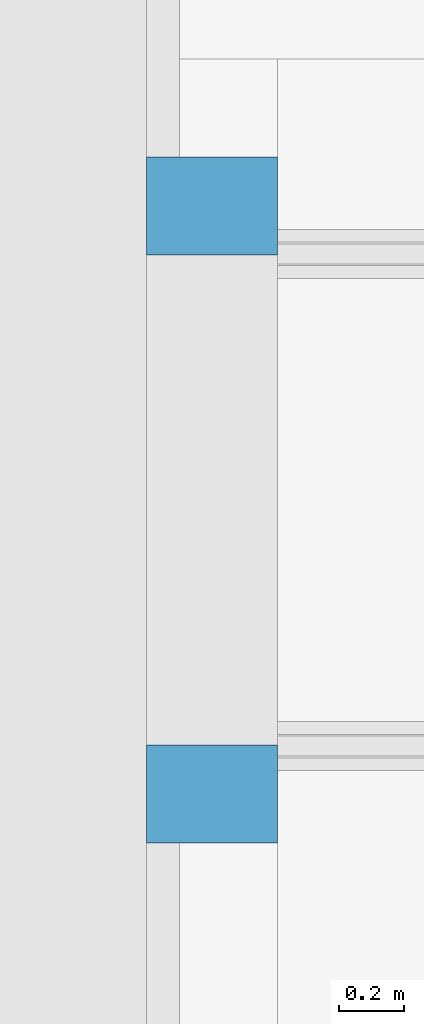
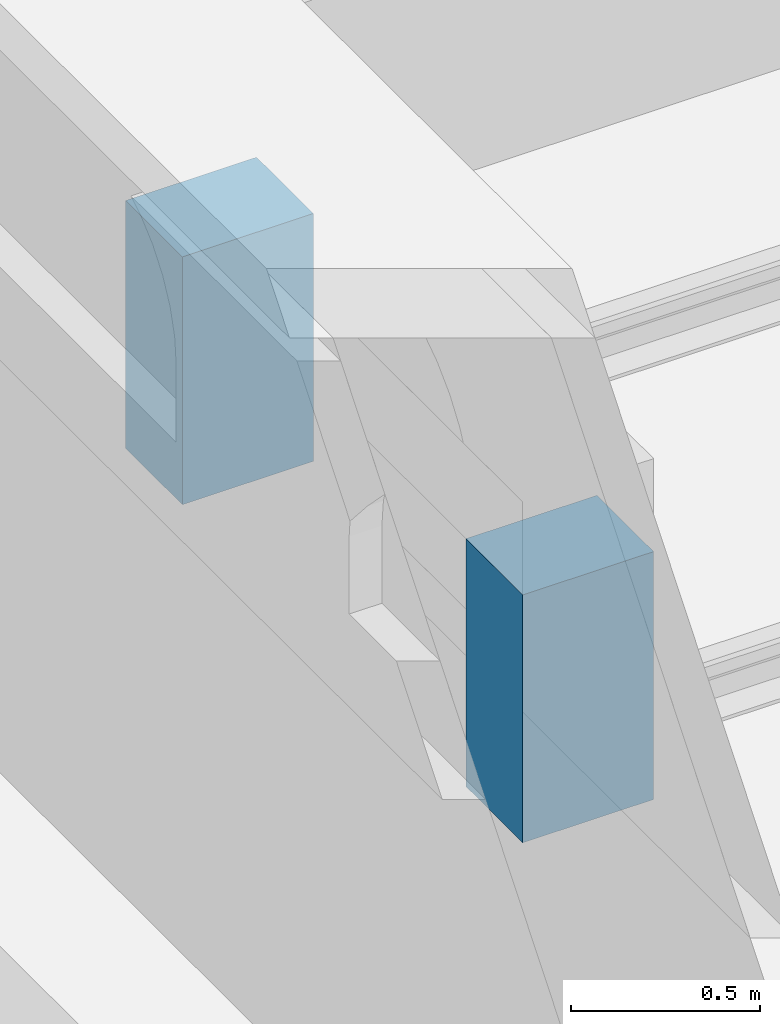
# One storey, part 162 of 250: 2 discrete accessories.
"""IFC4 building model written with IfcOpenShell, lengths in metres."""

import ifcopenshell
import ifcopenshell.guid

model = None  # the IFC model being written
_history = None  # IfcOwnerHistory: only IFC2X3 demands one
_inside = {}  # id of a spatial element -> (the spatial element, [elements in it])
_under = {}  # id of a project, library or spatial element -> (it, [spatial elements below it])
_declared = {}  # id of a project -> (the project, [libraries it declares])
_typed = {}  # id of a type object -> (the type object, [elements of that type])
_made_of = {}  # id of a material, layer set ... -> (it, [elements and type objects made of it])


def new_model(schema):
    """Start an empty IFC model of exactly this schema.

    Asked for "IFC4X3", IfcOpenShell would pick the latest addendum, in which some entities
    have other attributes; the version numbers below select the first issue.
    IFC2X3 requires an IfcOwnerHistory on every rooted entity: one is made here for all.
    """
    global model, _history
    if schema == "IFC4X3":
        model = ifcopenshell.file(schema_version=(4, 3, 0, 0))
    else:
        model = ifcopenshell.file(schema=schema)
    _inside.clear()
    _under.clear()
    _declared.clear()
    _typed.clear()
    _made_of.clear()
    _history = None
    if model.schema == "IFC2X3":
        org = make("IfcOrganization", Name="unknown")
        user = make(
            "IfcPersonAndOrganization",
            ThePerson=make("IfcPerson", FamilyName="unknown"),
            TheOrganization=org,
        )
        app = make(
            "IfcApplication",
            ApplicationDeveloper=org,
            Version="unknown",
            ApplicationFullName="unknown",
            ApplicationIdentifier="unknown",
        )
        _history = make(
            "IfcOwnerHistory",
            OwningUser=user,
            OwningApplication=app,
            ChangeAction="ADDED",
            CreationDate=0,
        )
    return model


def make(cls, **values):
    """One entity of the class cls with the attributes given. An attribute that is None is left unset."""
    return model.create_entity(
        cls, **{name: value for name, value in values.items() if value is not None}
    )


def rooted(cls, **values):
    """An entity with a GlobalId (a new one), such as an element, a storey or a relation."""
    return make(cls, GlobalId=ifcopenshell.guid.new(), OwnerHistory=_history, **values)


def si_unit(unit_type, name, prefix=None):
    """IfcSIUnit, for example si_unit("LENGTHUNIT", "METRE", prefix="MILLI")."""
    return make("IfcSIUnit", UnitType=unit_type, Prefix=prefix, Name=name)


def assignment(units):
    """IfcUnitAssignment: the units of a project."""
    return None if units is None else make("IfcUnitAssignment", Units=units)


def point(xyz):
    """IfcCartesianPoint."""
    return None if xyz is None else make("IfcCartesianPoint", Coordinates=xyz)


def direction(xyz):
    """IfcDirection."""
    return None if xyz is None else make("IfcDirection", DirectionRatios=xyz)


def frame(location, z_axis=None, x_axis=None):
    """IfcAxis2Placement3D, a coordinate frame: its origin and axes. An axis left out is left unset."""
    return make(
        "IfcAxis2Placement3D",
        Location=point(location),
        Axis=direction(z_axis),
        RefDirection=direction(x_axis),
    )


def frame_2d(location, x_axis=None):
    """IfcAxis2Placement2D, a coordinate frame in the plane: its origin and x axis."""
    return make(
        "IfcAxis2Placement2D", Location=point(location), RefDirection=direction(x_axis)
    )


def origin():
    """The frame at (0, 0, 0) with its axes left unset."""
    return frame((0.0, 0.0, 0.0))


def origin_2d():
    """The frame at (0, 0) in the plane with its x axis left unset."""
    return frame_2d((0.0, 0.0))


def place(relative_to, where):
    """IfcLocalPlacement: puts the frame where relative to a parent placement (None: the world)."""
    return make(
        "IfcLocalPlacement", PlacementRelTo=relative_to, RelativePlacement=where
    )


def context(
    kind, dimensions, precision=None, world=None, true_north=None, identifier=None
):
    """IfcGeometricRepresentationContext, for example the 3D "Model" context."""
    return make(
        "IfcGeometricRepresentationContext",
        ContextIdentifier=identifier,
        ContextType=kind,
        CoordinateSpaceDimension=dimensions,
        Precision=precision,
        WorldCoordinateSystem=world,
        TrueNorth=true_north,
    )


def subcontext(parent, identifier, kind, view, scale=None):
    """IfcGeometricRepresentationSubContext, for example "Body" below "Model"."""
    return make(
        "IfcGeometricRepresentationSubContext",
        ContextIdentifier=identifier,
        ContextType=kind,
        ParentContext=parent,
        TargetScale=scale,
        TargetView=view,
    )


def project(units=None, contexts=None):
    """IfcProject with its units and contexts."""
    return rooted(
        "IfcProject",
        Name="project",
        RepresentationContexts=contexts,
        UnitsInContext=assignment(units),
    )


def spatial(cls, under=None, at=None, **own):
    """A site, building, storey or space (cls), placed at a placement, below another one or the project."""
    s = rooted(cls, ObjectPlacement=at, **own)
    if under is not None:
        _under.setdefault(under.id(), (under, []))[1].append(s)
    return s


def profile(cls, at=None, kind="AREA", **sizes):
    """A parametric profile (cls). Its sizes go by their IFC names, for example OverallWidth=200.0."""
    return make(cls, ProfileType=kind, Position=at, **sizes)


def rectangle(**sizes):
    """IfcRectangleProfileDef."""
    return profile("IfcRectangleProfileDef", **sizes)


def extrude(swept, where, along, depth):
    """IfcExtrudedAreaSolid: the profile swept, set in the frame where, extruded along a direction by depth."""
    return make(
        "IfcExtrudedAreaSolid",
        SweptArea=swept,
        Position=where,
        ExtrudedDirection=direction(along),
        Depth=depth,
    )


def shape(context_of_items, identifier, shape_type, items):
    """IfcShapeRepresentation: the items that make up one representation, for example the "Body"."""
    return make(
        "IfcShapeRepresentation",
        ContextOfItems=context_of_items,
        RepresentationIdentifier=identifier,
        RepresentationType=shape_type,
        Items=items,
    )


def material(Name=None, Category=None):
    """IfcMaterial."""
    return make("IfcMaterial", Name=Name, Category=Category)


def made_of(thing, what):
    """Note that an element or type object is made of a material, layer set ...; save() writes the relation."""
    if what is not None:
        _made_of.setdefault(what.id(), (what, []))[1].append(thing)
    return thing


def type_object(cls, material=None, **own):
    """A type object (cls), such as IfcWallType, which elements share."""
    return made_of(rooted(cls, **own), material)


def element(
    cls,
    number,
    at=None,
    inside=None,
    cuts=None,
    type_object=None,
    material=None,
    context=None,
    identifier="Body",
    shape_type=None,
    held_by="IfcProductDefinitionShape",
    body=None,
    shapes=None,
    **own,
):
    """One element of the class cls, such as IfcWall. Its Tag is "e" and its number.

    at: its placement. inside: the storey or other place that contains it. cuts: it is an
    opening in that element (IfcRelVoidsElement). A single representation is given by context,
    identifier, shape_type and body (its items); several are given by shapes. held_by: the class
    of the entity that holds the representations. save() writes the other relations.
    """
    e = rooted(cls, Tag="e%d" % number, ObjectPlacement=at, **own)
    if body is not None:
        shapes = [shape(context, identifier, shape_type, body)]
    if shapes is not None:
        e.Representation = make(held_by, Representations=shapes)
    if inside is not None:
        _inside.setdefault(inside.id(), (inside, []))[1].append(e)
    if cuts is not None:
        rooted(
            "IfcRelVoidsElement", RelatingBuildingElement=cuts, RelatedOpeningElement=e
        )
    if type_object is not None:
        _typed.setdefault(type_object.id(), (type_object, []))[1].append(e)
    return made_of(e, material)


def aggregate(whole, parts):
    """IfcRelAggregates: a whole, such as a stair, and the parts it consists of."""
    return rooted("IfcRelAggregates", RelatingObject=whole, RelatedObjects=parts)


def save(model, path):
    """Write the relations noted so far, then the file.

    IfcRelAggregates (storeys below a building ...), IfcRelContainedInSpatialStructure (elements
    in a storey), IfcRelDefinesByType, IfcRelAssociatesMaterial and IfcRelDeclares: one each for
    every whole, place, type object, material and project.
    """
    for whole, parts in _under.values():
        aggregate(whole, parts)
    for where, things in _inside.values():
        rooted(
            "IfcRelContainedInSpatialStructure",
            RelatedElements=things,
            RelatingStructure=where,
        )
    for kind, things in _typed.values():
        rooted("IfcRelDefinesByType", RelatedObjects=things, RelatingType=kind)
    for what, things in _made_of.values():
        rooted("IfcRelAssociatesMaterial", RelatedObjects=things, RelatingMaterial=what)
    for by, libraries in _declared.values():
        rooted("IfcRelDeclares", RelatingContext=by, RelatedDefinitions=libraries)
    model.write(path)


model = new_model("IFC4")

# Units and contexts
model_context = context("Model", 3, precision=1e-05, world=origin(), true_north=direction((0.0, 1.0)))
body_context = subcontext(model_context, "Body", "Model", "MODEL_VIEW")
ifc_project = project(units=[si_unit("LENGTHUNIT", "METRE"), si_unit("AREAUNIT", "SQUARE_METRE"), si_unit("VOLUMEUNIT", "CUBIC_METRE"), si_unit("PLANEANGLEUNIT", "RADIAN"), si_unit("MASSUNIT", "GRAM", prefix="KILO")], contexts=[model_context])

# Site, building, storey
site_placement = place(None, origin())
site = spatial("IfcSite", under=ifc_project, at=site_placement, CompositionType="ELEMENT")
building_placement = place(site_placement, origin())
building = spatial("IfcBuilding", under=site, at=building_placement, Name="Baradari Gate Terminus", CompositionType="ELEMENT")
storey_placement = place(building_placement, origin())
storey = spatial("IfcBuildingStorey", under=building, at=storey_placement, Name="L00", CompositionType="ELEMENT", Elevation=0.0)

# Discrete accessories
ifc_material = material(Name="Steel S355", Category="steel")
discrete_accessory_type = type_object("IfcDiscreteAccessoryType", Name="Buffer stop post BF1 400x300x800", PredefinedType="USERDEFINED", material=ifc_material)
for number, where, z_axis, x_axis, name in (
    (1, (4.199951171875, 64.35009765625, -0.72216796875), (0.0, 0.0, 1.0), (1.0, 0.0, 0.0), "Buffer stop T4W post"),
    (2, (4.199951171875, 66.14990234375, -0.72216796875), (0.0, 0.0, 1.0), (1.0, 0.0, 0.0), "Buffer stop T4W post"),
):
    element("IfcDiscreteAccessory", number, at=place(storey_placement, frame(where, z_axis=z_axis, x_axis=x_axis)), inside=storey, type_object=discrete_accessory_type, Name=name, ObjectType="BUFFER STOP", PredefinedType="USERDEFINED", context=body_context, shape_type="SweptSolid", body=[
        extrude(rectangle(XDim=0.39990234375, YDim=0.300048828125, at=origin_2d()), origin(), (0.0, 0.0, 1.0), 0.800048828125),
    ])

save(model, "model.ifc")
